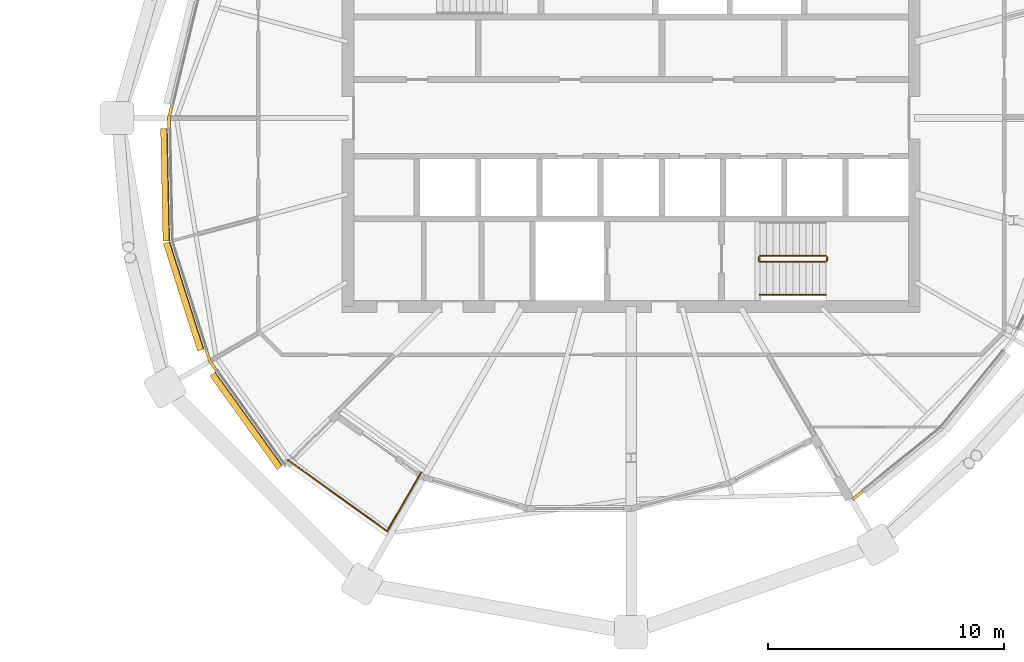
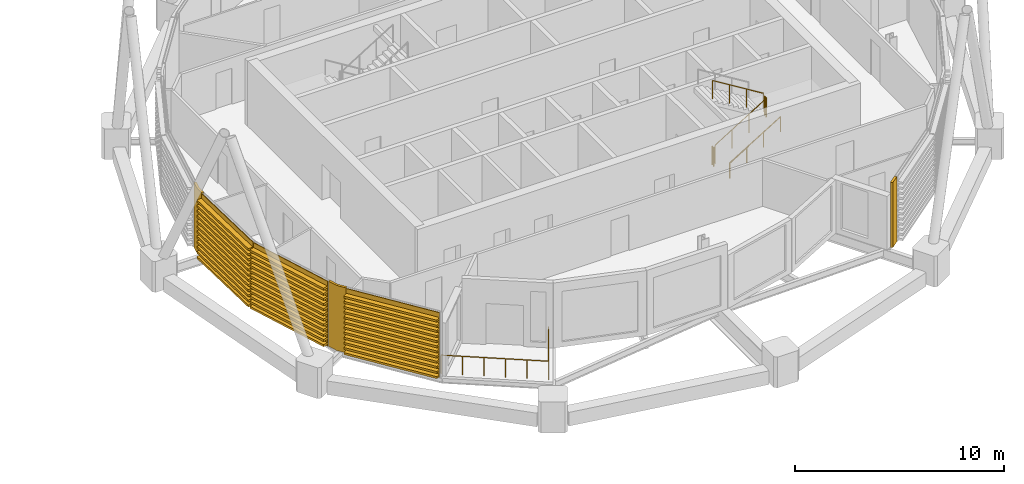
# One storey, part 31 of 34: 6 coverings, 6 railings.
"""IFC4 building model written with IfcOpenShell, lengths in metres."""

from ifc_helpers import new_model, si_unit, direction, frame, origin, origin_2d, place, context, subcontext, project, spatial, polyline, circle, outline, extrude, material, layer, layer_set, material_profile, profile_set, type_object, element, save


model = new_model("IFC4")

# Units and contexts
model_context = context("Model", 3, precision=1e-05, world=origin(), true_north=direction((0.0, 1.0)))
body_context = subcontext(model_context, "Body", "Model", "MODEL_VIEW")
ifc_project = project(units=[si_unit("LENGTHUNIT", "METRE"), si_unit("AREAUNIT", "SQUARE_METRE"), si_unit("VOLUMEUNIT", "CUBIC_METRE"), si_unit("PLANEANGLEUNIT", "RADIAN"), si_unit("MASSUNIT", "GRAM", prefix="KILO")], contexts=[model_context])

# Site, building, storey
site_placement = place(None, origin())
site = spatial("IfcSite", under=ifc_project, at=site_placement, CompositionType="ELEMENT")
building_placement = place(site_placement, origin())
building = spatial("IfcBuilding", under=site, at=building_placement, Name="Rimbun Link Towers", CompositionType="ELEMENT")
storey_placement = place(building_placement, frame((0.0, 0.0, 221.89990234375)))
storey = spatial("IfcBuildingStorey", under=building, at=storey_placement, Name="L54", CompositionType="ELEMENT", Elevation=221.89990234375)

# Railing
ifc_material_1 = material(Name="Stainless steel grade 316", Category="steel")
railing_type_1 = type_object("IfcRailingType", Name="GUARD stainless rail and posts", PredefinedType="GUARDRAIL", material=ifc_material_1)
railing_1_placement = place(storey_placement, frame((17.19921875, -14.5048828125, 0.0)))
element("IfcRailing", 1, at=railing_1_placement, inside=storey, type_object=railing_type_1, Name="GUARD", PredefinedType="GUARDRAIL", context=body_context, shape_type="SweptSolid", body=[
    extrude(circle(Radius=0.02392578125, at=origin_2d()), frame((0.0, 0.0, 1.076171875), z_axis=(0.812465855899, -0.58300877609, 0.0), x_axis=(0.58300877609, 0.812465855899, 0.0)), (0.0, 0.0, 1.0), 5.17431640625),
    extrude(circle(Radius=0.02392578125, at=origin_2d()), frame((4.203857421875, -3.0166015625, 1.076171875), z_axis=(0.499996461177, 0.866027446915, 0.0), x_axis=(-0.866027446915, 0.499996461177, 0.0)), (0.0, 0.0, 1.0), 2.87939453125),
    extrude(circle(Radius=0.02099609375, at=origin_2d()), origin(), (0.0, 0.0, 1.0), 1.052001953125),
    extrude(circle(Radius=0.02099609375, at=origin_2d()), frame((0.8408203125, -0.603271484375, 0.0)), (0.0, 0.0, 1.0), 1.052001953125),
    extrude(circle(Radius=0.02099609375, at=origin_2d()), frame((1.681640625, -1.20654296875, 0.0)), (0.0, 0.0, 1.0), 1.052001953125),
    extrude(circle(Radius=0.02099609375, at=origin_2d()), frame((2.522216796875, -1.81005859375, 0.0)), (0.0, 0.0, 1.0), 1.052001953125),
    extrude(circle(Radius=0.02099609375, at=origin_2d()), frame((3.363037109375, -2.413330078125, 0.0)), (0.0, 0.0, 1.0), 1.052001953125),
    extrude(circle(Radius=0.02099609375, at=origin_2d()), frame((4.203857421875, -3.0166015625, 0.0)), (0.0, 0.0, 1.0), 1.052001953125),
    extrude(circle(Radius=0.02099609375, at=origin_2d()), frame((4.683837890625, -2.185302734375, 0.0)), (0.0, 0.0, 1.0), 1.052001953125),
    extrude(circle(Radius=0.02099609375, at=origin_2d()), frame((5.16357421875, -1.354248046875, 0.0)), (0.0, 0.0, 1.0), 1.052001953125),
    extrude(circle(Radius=0.02099609375, at=origin_2d()), frame((5.6435546875, -0.52294921875, 0.0)), (0.0, 0.0, 1.0), 1.052001953125),
])

# Coverings
ifc_material_2 = material(Name="Terracotta", Category="masonry")
ifc_layer = layer(ifc_material_2, 0.1201171875)
ifc_layer_set = layer_set([ifc_layer], Name="LINK PIER terracotta cladding 120")
covering_type_1 = type_object("IfcCoveringType", Name="LINK PIER terracotta cladding 120", PredefinedType="CLADDING", material=ifc_layer_set)
covering_1_placement = place(storey_placement, origin())
element("IfcCovering", 2, at=covering_1_placement, inside=storey, type_object=covering_type_1, Name="LINK PIER cladding", PredefinedType="CLADDING", context=body_context, shape_type="SweptSolid", body=[
    extrude(outline(polyline([(12.221435546875, -0.419921875), (12.212646484375, 0.0), (12.333740234375, 0.505859375), (12.217041015625, 0.53369140625), (12.09228515625, 0.012939453125), (12.1015625, -0.42236328125), (12.221435546875, -0.419921875)])), origin(), (0.0, 0.0, 1.0), 3.800048828125),
])
covering_2_placement = place(storey_placement, origin())
element("IfcCovering", 3, at=covering_2_placement, inside=storey, type_object=covering_type_1, Name="LINK PIER cladding", PredefinedType="CLADDING", context=body_context, shape_type="SweptSolid", body=[
    extrude(outline(polyline([(14.21142578125, -10.666015625), (13.9375, -10.2841796875), (13.77978515625, -9.78857421875), (13.66552734375, -9.824951171875), (13.828857421875, -10.338623046875), (14.114013671875, -10.73583984375), (14.21142578125, -10.666015625)])), origin(), (0.0, 0.0, 1.0), 3.800048828125),
])
covering_3_placement = place(storey_placement, origin())
element("IfcCovering", 4, at=covering_3_placement, inside=storey, type_object=covering_type_1, Name="LINK PIER cladding", PredefinedType="CLADDING", context=body_context, shape_type="SweptSolid", body=[
    extrude(outline(polyline([(41.516845703125, -15.79052734375), (41.096923828125, -16.130126953125), (41.172607421875, -16.223388671875), (41.59228515625, -15.8837890625), (41.516845703125, -15.79052734375)])), origin(), (0.0, 0.0, 1.0), 3.800048828125),
])

# Railings
ifc_material_3 = material(Name="Stainless steel grade 316", Category="steel")
railing_type_2 = type_object("IfcRailingType", Name="Stair guard", PredefinedType="GUARDRAIL", material=ifc_material_3)
railing_2_placement = place(storey_placement, frame((37.199951171875, -6.10009765625, 0.1728515625)))
element("IfcRailing", 5, at=railing_2_placement, inside=storey, type_object=railing_type_2, Name="L54 ST4 stair guard 1", PredefinedType="GUARDRAIL", context=body_context, shape_type="SweptSolid", body=[
    extrude(circle(Radius=0.02392578125, at=origin_2d()), frame((0.0, 0.0, 1.076171875), z_axis=(0.851089632645, 0.0, 0.525020415988), x_axis=(0.0, 1.0, 0.0)), (0.0, 0.0, 1.0), 3.2900390625),
    extrude(circle(Radius=0.02099609375, at=origin_2d()), origin(), (0.0, 0.0, 1.0), 1.052001953125),
    extrude(circle(Radius=0.02099609375, at=origin_2d()), frame((0.933349609375, 0.0, 0.57568359375)), (0.0, 0.0, 1.0), 1.052001953125),
    extrude(circle(Radius=0.02099609375, at=origin_2d()), frame((1.86669921875, 0.0, 1.151611328125)), (0.0, 0.0, 1.0), 1.052001953125),
    extrude(circle(Radius=0.02099609375, at=origin_2d()), frame((2.800048828125, 0.0, 1.727294921875)), (0.0, 0.0, 1.0), 1.052001953125),
])
railing_3_placement = place(storey_placement, frame((40.050048828125, -6.050048828125, 1.900146484375)))
element("IfcRailing", 6, at=railing_3_placement, inside=storey, type_object=railing_type_2, Name="L54 ST4 stair guard 2", PredefinedType="GUARDRAIL", context=body_context, shape_type="SweptSolid", body=[
    extrude(circle(Radius=0.02392578125, at=origin_2d()), frame((0.0, 0.0, 1.076171875), z_axis=(0.0, 1.0, 0.0), x_axis=(-1.0, 0.0, 0.0)), (0.0, 0.0, 1.0), 0.150146484375),
    extrude(circle(Radius=0.02099609375, at=origin_2d()), origin(), (0.0, 0.0, 1.0), 1.052001953125),
    extrude(circle(Radius=0.02099609375, at=origin_2d()), frame((0.0, 0.150146484375, 0.0)), (0.0, 0.0, 1.0), 1.052001953125),
])
railing_4_placement = place(storey_placement, frame((40.0, -5.85009765625, 2.07275390625)))
element("IfcRailing", 7, at=railing_4_placement, inside=storey, type_object=railing_type_2, Name="L54 ST4 stair guard 3", PredefinedType="GUARDRAIL", context=body_context, shape_type="SweptSolid", body=[
    extrude(circle(Radius=0.02392578125, at=origin_2d()), frame((0.0, 0.0, 1.076171875), z_axis=(-0.851089632645, 0.0, 0.525020415988), x_axis=(0.0, -1.0, 0.0)), (0.0, 0.0, 1.0), 3.2900390625),
    extrude(circle(Radius=0.02099609375, at=origin_2d()), origin(), (0.0, 0.0, 1.0), 1.052001953125),
    extrude(circle(Radius=0.02099609375, at=origin_2d()), frame((-0.933349609375, 0.0, 0.57568359375)), (0.0, 0.0, 1.0), 1.052001953125),
    extrude(circle(Radius=0.02099609375, at=origin_2d()), frame((-1.86669921875, 0.0, 1.151611328125)), (0.0, 0.0, 1.0), 1.052001953125),
    extrude(circle(Radius=0.02099609375, at=origin_2d()), frame((-2.800048828125, 0.0, 1.727294921875)), (0.0, 0.0, 1.0), 1.052001953125),
])
railing_5_placement = place(storey_placement, frame((37.14990234375, -6.050048828125, 0.0)))
element("IfcRailing", 8, at=railing_5_placement, inside=storey, type_object=railing_type_2, Name="L54 ST4 stair guard 4", PredefinedType="GUARDRAIL", context=body_context, shape_type="SweptSolid", body=[
    extrude(circle(Radius=0.02392578125, at=origin_2d()), frame((0.0, 0.0, 1.076171875), z_axis=(0.0, 1.0, 0.0), x_axis=(-1.0, 0.0, 0.0)), (0.0, 0.0, 1.0), 0.150146484375),
    extrude(circle(Radius=0.02099609375, at=origin_2d()), origin(), (0.0, 0.0, 1.0), 1.052001953125),
    extrude(circle(Radius=0.02099609375, at=origin_2d()), frame((0.0, 0.150146484375, 0.0)), (0.0, 0.0, 1.0), 1.052001953125),
])
ifc_material_4 = material(Name="Stainless steel grade 316", Category="steel")
railing_type_3 = type_object("IfcRailingType", Name="Stair handrail", PredefinedType="HANDRAIL", material=ifc_material_4)
railing_6_placement = place(storey_placement, frame((37.199951171875, -7.5, 0.1728515625)))
element("IfcRailing", 9, at=railing_6_placement, inside=storey, type_object=railing_type_3, Name="L54 ST4 stair handrail 1", PredefinedType="HANDRAIL", context=body_context, shape_type="SweptSolid", body=[
    extrude(circle(Radius=0.02392578125, at=origin_2d()), frame((0.0, 0.0, 0.8759765625), z_axis=(0.851089632645, 0.0, 0.525020415988), x_axis=(0.0, 1.0, 0.0)), (0.0, 0.0, 1.0), 3.2900390625),
    extrude(circle(Radius=0.02099609375, at=origin_2d()), origin(), (0.0, 0.0, 1.0), 0.851806640625),
    extrude(circle(Radius=0.02099609375, at=origin_2d()), frame((0.933349609375, 0.0, 0.57568359375)), (0.0, 0.0, 1.0), 0.851806640625),
    extrude(circle(Radius=0.02099609375, at=origin_2d()), frame((1.86669921875, 0.0, 1.151611328125)), (0.0, 0.0, 1.0), 0.851806640625),
    extrude(circle(Radius=0.02099609375, at=origin_2d()), frame((2.800048828125, 0.0, 1.727294921875)), (0.0, 0.0, 1.0), 0.851806640625),
])

# Coverings
ifc_material_5 = material(Name="Terracotta", Category="masonry")
ifc_material_profile = material_profile(ifc_material_5, outline(polyline([(0.123046875, 0.0), (0.1630859375, 0.0), (0.1630859375, 0.10009765625), (0.423095703125, 0.10009765625), (0.423095703125, 0.219970703125), (0.1630859375, 0.219970703125), (0.1630859375, 0.39990234375), (0.423095703125, 0.39990234375), (0.423095703125, 0.52001953125), (0.1630859375, 0.52001953125), (0.1630859375, 0.699951171875), (0.423095703125, 0.699951171875), (0.423095703125, 0.820068359375), (0.1630859375, 0.820068359375), (0.1630859375, 1.0), (0.423095703125, 1.0), (0.423095703125, 1.1201171875), (0.1630859375, 1.1201171875), (0.1630859375, 1.300048828125), (0.423095703125, 1.300048828125), (0.423095703125, 1.419921875), (0.1630859375, 1.419921875), (0.1630859375, 1.60009765625), (0.423095703125, 1.60009765625), (0.423095703125, 1.719970703125), (0.1630859375, 1.719970703125), (0.1630859375, 1.89990234375), (0.423095703125, 1.89990234375), (0.423095703125, 2.02001953125), (0.1630859375, 2.02001953125), (0.1630859375, 2.199951171875), (0.423095703125, 2.199951171875), (0.423095703125, 2.320068359375), (0.1630859375, 2.320068359375), (0.1630859375, 2.5), (0.423095703125, 2.5), (0.423095703125, 2.6201171875), (0.1630859375, 2.6201171875), (0.1630859375, 2.800048828125), (0.423095703125, 2.800048828125), (0.423095703125, 2.919921875), (0.1630859375, 2.919921875), (0.1630859375, 3.10009765625), (0.423095703125, 3.10009765625), (0.423095703125, 3.219970703125), (0.1630859375, 3.219970703125), (0.1630859375, 3.39990234375), (0.423095703125, 3.39990234375), (0.423095703125, 3.52001953125), (0.1630859375, 3.52001953125), (0.1630859375, 3.800048828125), (0.123046875, 3.800048828125), (0.123046875, 0.0)])), Name="BAGUETTE 120X300")
ifc_profile_set = profile_set([ifc_material_profile], Name="Terracotta")
covering_type_2 = type_object("IfcCoveringType", Name="TERRACOTTA BAGUETTE 120X300 H3800", PredefinedType="CLADDING", material=ifc_profile_set)
covering_4_placement = place(storey_placement, frame((12.322509765625, -5.20556640625, 0.0), z_axis=(-0.021094950611, 0.999777476771, 0.0), x_axis=(-0.999777476771, -0.021094950611, 0.0)))
element("IfcCovering", 10, at=covering_4_placement, inside=storey, type_object=covering_type_2, Name="TERRACOTTA BAGUETTE", PredefinedType="CLADDING", context=body_context, shape_type="SweptSolid", body=[
    extrude(outline(polyline([(0.123046875, 0.0), (0.1630859375, 0.0), (0.1630859375, 0.10009765625), (0.423095703125, 0.10009765625), (0.423095703125, 0.219970703125), (0.1630859375, 0.219970703125), (0.1630859375, 0.39990234375), (0.423095703125, 0.39990234375), (0.423095703125, 0.52001953125), (0.1630859375, 0.52001953125), (0.1630859375, 0.699951171875), (0.423095703125, 0.699951171875), (0.423095703125, 0.820068359375), (0.1630859375, 0.820068359375), (0.1630859375, 1.0), (0.423095703125, 1.0), (0.423095703125, 1.1201171875), (0.1630859375, 1.1201171875), (0.1630859375, 1.300048828125), (0.423095703125, 1.300048828125), (0.423095703125, 1.419921875), (0.1630859375, 1.419921875), (0.1630859375, 1.60009765625), (0.423095703125, 1.60009765625), (0.423095703125, 1.719970703125), (0.1630859375, 1.719970703125), (0.1630859375, 1.89990234375), (0.423095703125, 1.89990234375), (0.423095703125, 2.02001953125), (0.1630859375, 2.02001953125), (0.1630859375, 2.199951171875), (0.423095703125, 2.199951171875), (0.423095703125, 2.320068359375), (0.1630859375, 2.320068359375), (0.1630859375, 2.5), (0.423095703125, 2.5), (0.423095703125, 2.6201171875), (0.1630859375, 2.6201171875), (0.1630859375, 2.800048828125), (0.423095703125, 2.800048828125), (0.423095703125, 2.919921875), (0.1630859375, 2.919921875), (0.1630859375, 3.10009765625), (0.423095703125, 3.10009765625), (0.423095703125, 3.219970703125), (0.1630859375, 3.219970703125), (0.1630859375, 3.39990234375), (0.423095703125, 3.39990234375), (0.423095703125, 3.52001953125), (0.1630859375, 3.52001953125), (0.1630859375, 3.800048828125), (0.123046875, 3.800048828125), (0.123046875, 0.0)])), origin(), (0.0, 0.0, 1.0), 4.756591796875),
])
covering_5_placement = place(storey_placement, frame((13.770751953125, -9.760009765625, 0.0), z_axis=(-0.303032859798, 0.952980107811, 0.0), x_axis=(-0.952980107811, -0.303032859798, 0.0)))
element("IfcCovering", 11, at=covering_5_placement, inside=storey, type_object=covering_type_2, Name="TERRACOTTA BAGUETTE", PredefinedType="CLADDING", context=body_context, shape_type="SweptSolid", body=[
    extrude(outline(polyline([(0.123046875, 0.0), (0.1630859375, 0.0), (0.1630859375, 0.10009765625), (0.423095703125, 0.10009765625), (0.423095703125, 0.219970703125), (0.1630859375, 0.219970703125), (0.1630859375, 0.39990234375), (0.423095703125, 0.39990234375), (0.423095703125, 0.52001953125), (0.1630859375, 0.52001953125), (0.1630859375, 0.699951171875), (0.423095703125, 0.699951171875), (0.423095703125, 0.820068359375), (0.1630859375, 0.820068359375), (0.1630859375, 1.0), (0.423095703125, 1.0), (0.423095703125, 1.1201171875), (0.1630859375, 1.1201171875), (0.1630859375, 1.300048828125), (0.423095703125, 1.300048828125), (0.423095703125, 1.419921875), (0.1630859375, 1.419921875), (0.1630859375, 1.60009765625), (0.423095703125, 1.60009765625), (0.423095703125, 1.719970703125), (0.1630859375, 1.719970703125), (0.1630859375, 1.89990234375), (0.423095703125, 1.89990234375), (0.423095703125, 2.02001953125), (0.1630859375, 2.02001953125), (0.1630859375, 2.199951171875), (0.423095703125, 2.199951171875), (0.423095703125, 2.320068359375), (0.1630859375, 2.320068359375), (0.1630859375, 2.5), (0.423095703125, 2.5), (0.423095703125, 2.6201171875), (0.1630859375, 2.6201171875), (0.1630859375, 2.800048828125), (0.423095703125, 2.800048828125), (0.423095703125, 2.919921875), (0.1630859375, 2.919921875), (0.1630859375, 3.10009765625), (0.423095703125, 3.10009765625), (0.423095703125, 3.219970703125), (0.1630859375, 3.219970703125), (0.1630859375, 3.39990234375), (0.423095703125, 3.39990234375), (0.423095703125, 3.52001953125), (0.1630859375, 3.52001953125), (0.1630859375, 3.800048828125), (0.123046875, 3.800048828125), (0.123046875, 0.0)])), origin(), (0.0, 0.0, 1.0), 4.779052734375),
])
covering_6_placement = place(storey_placement, frame((17.082763671875, -14.667236328125, 0.0), z_axis=(-0.583020261963, 0.81245761375, 0.0), x_axis=(-0.81245761375, -0.583020261963, 0.0)))
element("IfcCovering", 12, at=covering_6_placement, inside=storey, type_object=covering_type_2, Name="TERRACOTTA BAGUETTE", PredefinedType="CLADDING", context=body_context, shape_type="SweptSolid", body=[
    extrude(outline(polyline([(0.123046875, 0.0), (0.1630859375, 0.0), (0.1630859375, 0.10009765625), (0.423095703125, 0.10009765625), (0.423095703125, 0.219970703125), (0.1630859375, 0.219970703125), (0.1630859375, 0.39990234375), (0.423095703125, 0.39990234375), (0.423095703125, 0.52001953125), (0.1630859375, 0.52001953125), (0.1630859375, 0.699951171875), (0.423095703125, 0.699951171875), (0.423095703125, 0.820068359375), (0.1630859375, 0.820068359375), (0.1630859375, 1.0), (0.423095703125, 1.0), (0.423095703125, 1.1201171875), (0.1630859375, 1.1201171875), (0.1630859375, 1.300048828125), (0.423095703125, 1.300048828125), (0.423095703125, 1.419921875), (0.1630859375, 1.419921875), (0.1630859375, 1.60009765625), (0.423095703125, 1.60009765625), (0.423095703125, 1.719970703125), (0.1630859375, 1.719970703125), (0.1630859375, 1.89990234375), (0.423095703125, 1.89990234375), (0.423095703125, 2.02001953125), (0.1630859375, 2.02001953125), (0.1630859375, 2.199951171875), (0.423095703125, 2.199951171875), (0.423095703125, 2.320068359375), (0.1630859375, 2.320068359375), (0.1630859375, 2.5), (0.423095703125, 2.5), (0.423095703125, 2.6201171875), (0.1630859375, 2.6201171875), (0.1630859375, 2.800048828125), (0.423095703125, 2.800048828125), (0.423095703125, 2.919921875), (0.1630859375, 2.919921875), (0.1630859375, 3.10009765625), (0.423095703125, 3.10009765625), (0.423095703125, 3.219970703125), (0.1630859375, 3.219970703125), (0.1630859375, 3.39990234375), (0.423095703125, 3.39990234375), (0.423095703125, 3.52001953125), (0.1630859375, 3.52001953125), (0.1630859375, 3.800048828125), (0.123046875, 3.800048828125), (0.123046875, 0.0)])), origin(), (0.0, 0.0, 1.0), 4.894775390625),
])

save(model, "model.ifc")
